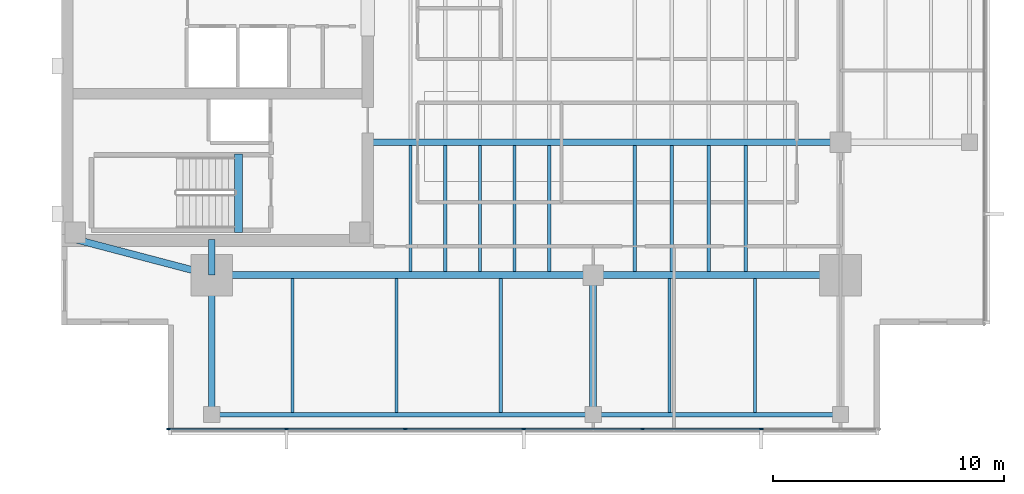
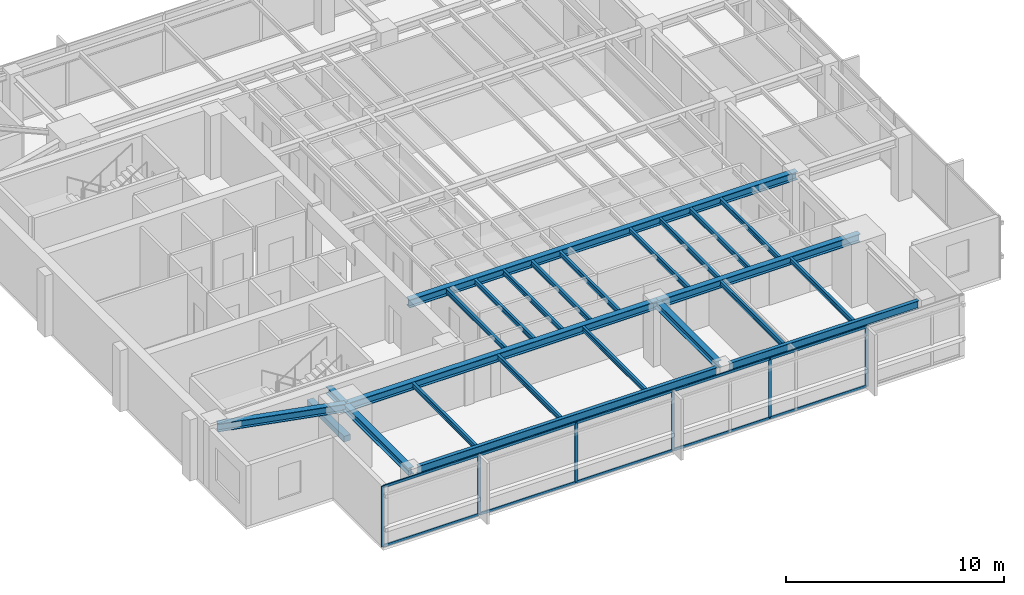
# One storey, part 2 of 14: 24 beams, 16 members, 1 element without a shape of its own.
"""IFC4 building model written with IfcOpenShell, lengths in metres."""

from ifc_helpers import new_model, si_unit, direction, frame, origin, origin_2d, place, context, subcontext, project, spatial, rectangle, i_section, extrude, material, layer, layer_set, material_profile, profile_set, type_object, element, aggregate, save


model = new_model("IFC4")

# Units and contexts
model_context = context("Model", 3, precision=1e-05, world=origin(), true_north=direction((0.0, 1.0)))
body_context = subcontext(model_context, "Body", "Model", "MODEL_VIEW")
ifc_project = project(units=[si_unit("LENGTHUNIT", "METRE"), si_unit("AREAUNIT", "SQUARE_METRE"), si_unit("VOLUMEUNIT", "CUBIC_METRE"), si_unit("PLANEANGLEUNIT", "RADIAN"), si_unit("MASSUNIT", "GRAM", prefix="KILO")], contexts=[model_context])

# Site, building, storey
site_placement = place(None, origin())
site = spatial("IfcSite", under=ifc_project, at=site_placement, CompositionType="ELEMENT")
building_placement = place(site_placement, origin())
building = spatial("IfcBuilding", under=site, at=building_placement, Name="Kinhvarn Gate Tower", CompositionType="ELEMENT")
storey_placement = place(building_placement, frame((0.0, 0.0, 270.550048828125)))
storey = spatial("IfcBuildingStorey", under=building, at=storey_placement, Name="L72", CompositionType="ELEMENT", Elevation=270.550048828125)

# Beam
ifc_material_1 = material(Name="Concrete C50/60", Category="concrete")
ifc_material_profile_1 = material_profile(ifc_material_1, rectangle(XDim=0.340087890625, YDim=0.320068359375, at=origin_2d()), Name="RC 340x320")
ifc_profile_set_1 = profile_set([ifc_material_profile_1], Name="Concrete C50/60")
beam_type_1 = type_object("IfcBeamType", Name="BM-LND-500", PredefinedType="BEAM", material=ifc_profile_set_1)
beam_1_placement = place(storey_placement, frame((12.1650390625, 14.60009765625, -0.16015625), z_axis=(0.0, 1.0, 0.0), x_axis=(-1.0, 0.0, 0.0)))
element("IfcBeam", 1, at=beam_1_placement, inside=storey, type_object=beam_type_1, Name="Stair ST1 Landing Nosing Beam (L72)", PredefinedType="BEAM", context=body_context, shape_type="SweptSolid", body=[
    extrude(rectangle(XDim=0.340087890625, YDim=0.320068359375, at=origin_2d()), origin(), (0.0, 0.0, 1.0), 3.39990234375),
])

# Curtain wall, members
ifc_material_2 = material(Name="Anodised aluminium AW-6063", Category="aluminium")
ifc_layer = layer(ifc_material_2, 0.179931640625)
ifc_layer_set = layer_set([ifc_layer], Name="Anodised aluminium AW-6063")
curtain_wall_type = type_object("IfcCurtainWallType", Name="CW-SYS-3", PredefinedType="NOTDEFINED", material=ifc_layer_set)
curtain_wall_placement = place(storey_placement, origin())
curtain_wall = element("IfcCurtainWall", 2, at=curtain_wall_placement, inside=storey, type_object=curtain_wall_type, Name="Curtain Wall CW3 (L72)", PredefinedType="NOTDEFINED")
ifc_material_profile_2 = material_profile(ifc_material_2, rectangle(XDim=0.06494140625, YDim=0.159912109375, at=origin_2d()), Name="ALU 65x160")
ifc_profile_set_2 = profile_set([ifc_material_profile_2], Name="Anodised aluminium AW-6063")
member_type_1 = type_object("IfcMemberType", Name="CW-MUL-160", PredefinedType="MULLION", material=ifc_profile_set_2)
member_1_placement = place(storey_placement, frame((9.132568359375, 6.090087890625, 0.0), z_axis=(0.0, 0.0, 1.0), x_axis=(0.0, 1.0, 0.0)))
member_1 = element("IfcMember", 3, at=member_1_placement, type_object=member_type_1, Name="CW3 mullion 1", PredefinedType="MULLION", context=body_context, shape_type="SweptSolid", body=[
    extrude(rectangle(XDim=0.06494140625, YDim=0.159912109375, at=origin_2d()), origin(), (0.0, 0.0, 1.0), 3.389892578125),
])
member_2_placement = place(storey_placement, frame((14.2333984375, 6.090087890625, 0.0), z_axis=(0.0, 0.0, 1.0), x_axis=(0.0, 1.0, 0.0)))
member_2 = element("IfcMember", 4, at=member_2_placement, type_object=member_type_1, Name="CW3 mullion 2", PredefinedType="MULLION", context=body_context, shape_type="SweptSolid", body=[
    extrude(rectangle(XDim=0.06494140625, YDim=0.159912109375, at=origin_2d()), origin(), (0.0, 0.0, 1.0), 3.389892578125),
])
member_3_placement = place(storey_placement, frame((19.36669921875, 6.090087890625, 0.0), z_axis=(0.0, 0.0, 1.0), x_axis=(0.0, 1.0, 0.0)))
member_3 = element("IfcMember", 5, at=member_3_placement, type_object=member_type_1, Name="CW3 mullion 3", PredefinedType="MULLION", context=body_context, shape_type="SweptSolid", body=[
    extrude(rectangle(XDim=0.06494140625, YDim=0.159912109375, at=origin_2d()), origin(), (0.0, 0.0, 1.0), 3.389892578125),
])
member_4_placement = place(storey_placement, frame((24.5, 6.090087890625, 0.0), z_axis=(0.0, 0.0, 1.0), x_axis=(0.0, 1.0, 0.0)))
member_4 = element("IfcMember", 6, at=member_4_placement, type_object=member_type_1, Name="CW3 mullion 4", PredefinedType="MULLION", context=body_context, shape_type="SweptSolid", body=[
    extrude(rectangle(XDim=0.06494140625, YDim=0.159912109375, at=origin_2d()), origin(), (0.0, 0.0, 1.0), 3.389892578125),
])
member_5_placement = place(storey_placement, frame((29.63330078125, 6.090087890625, 0.0), z_axis=(0.0, 0.0, 1.0), x_axis=(0.0, 1.0, 0.0)))
member_5 = element("IfcMember", 7, at=member_5_placement, type_object=member_type_1, Name="CW3 mullion 5", PredefinedType="MULLION", context=body_context, shape_type="SweptSolid", body=[
    extrude(rectangle(XDim=0.06494140625, YDim=0.159912109375, at=origin_2d()), origin(), (0.0, 0.0, 1.0), 3.389892578125),
])
member_6_placement = place(storey_placement, frame((34.7666015625, 6.090087890625, 0.0), z_axis=(0.0, 0.0, 1.0), x_axis=(0.0, 1.0, 0.0)))
member_6 = element("IfcMember", 8, at=member_6_placement, type_object=member_type_1, Name="CW3 mullion 6", PredefinedType="MULLION", context=body_context, shape_type="SweptSolid", body=[
    extrude(rectangle(XDim=0.06494140625, YDim=0.159912109375, at=origin_2d()), origin(), (0.0, 0.0, 1.0), 3.389892578125),
])
ifc_material_profile_3 = material_profile(ifc_material_2, rectangle(XDim=0.070068359375, YDim=0.139892578125, at=origin_2d()), Name="ALU 70x140")
ifc_profile_set_3 = profile_set([ifc_material_profile_3], Name="Anodised aluminium AW-6063")
member_type_2 = type_object("IfcMemberType", Name="CW-TRN-140", PredefinedType="USERDEFINED", material=ifc_profile_set_3)
member_7_placement = place(storey_placement, frame((9.1650390625, 6.090087890625, 0.034912109375), z_axis=(1.0, 0.0, 0.0), x_axis=(0.0, 1.0, 0.0)))
member_7 = element("IfcMember", 9, at=member_7_placement, type_object=member_type_2, Name="CW3 transom 1.1", ObjectType="TRANSOM", PredefinedType="USERDEFINED", context=body_context, shape_type="SweptSolid", body=[
    extrude(rectangle(XDim=0.070068359375, YDim=0.139892578125, at=origin_2d()), origin(), (0.0, 0.0, 1.0), 5.035888671875),
])
member_8_placement = place(storey_placement, frame((9.1650390625, 6.090087890625, 3.35498046875), z_axis=(1.0, 0.0, 0.0), x_axis=(0.0, 1.0, 0.0)))
member_8 = element("IfcMember", 10, at=member_8_placement, type_object=member_type_2, Name="CW3 transom 1.2", ObjectType="TRANSOM", PredefinedType="USERDEFINED", context=body_context, shape_type="SweptSolid", body=[
    extrude(rectangle(XDim=0.070068359375, YDim=0.139892578125, at=origin_2d()), origin(), (0.0, 0.0, 1.0), 5.035888671875),
])
member_9_placement = place(storey_placement, frame((14.265869140625, 6.090087890625, 0.034912109375), z_axis=(1.0, 0.0, 0.0), x_axis=(0.0, 1.0, 0.0)))
member_9 = element("IfcMember", 11, at=member_9_placement, type_object=member_type_2, Name="CW3 transom 2.1", ObjectType="TRANSOM", PredefinedType="USERDEFINED", context=body_context, shape_type="SweptSolid", body=[
    extrude(rectangle(XDim=0.070068359375, YDim=0.139892578125, at=origin_2d()), origin(), (0.0, 0.0, 1.0), 5.068359375),
])
member_10_placement = place(storey_placement, frame((14.265869140625, 6.090087890625, 3.35498046875), z_axis=(1.0, 0.0, 0.0), x_axis=(0.0, 1.0, 0.0)))
member_10 = element("IfcMember", 12, at=member_10_placement, type_object=member_type_2, Name="CW3 transom 2.2", ObjectType="TRANSOM", PredefinedType="USERDEFINED", context=body_context, shape_type="SweptSolid", body=[
    extrude(rectangle(XDim=0.070068359375, YDim=0.139892578125, at=origin_2d()), origin(), (0.0, 0.0, 1.0), 5.068359375),
])
member_11_placement = place(storey_placement, frame((19.399169921875, 6.090087890625, 0.034912109375), z_axis=(1.0, 0.0, 0.0), x_axis=(0.0, 1.0, 0.0)))
member_11 = element("IfcMember", 13, at=member_11_placement, type_object=member_type_2, Name="CW3 transom 3.1", ObjectType="TRANSOM", PredefinedType="USERDEFINED", context=body_context, shape_type="SweptSolid", body=[
    extrude(rectangle(XDim=0.070068359375, YDim=0.139892578125, at=origin_2d()), origin(), (0.0, 0.0, 1.0), 5.068359375),
])
member_12_placement = place(storey_placement, frame((19.399169921875, 6.090087890625, 3.35498046875), z_axis=(1.0, 0.0, 0.0), x_axis=(0.0, 1.0, 0.0)))
member_12 = element("IfcMember", 14, at=member_12_placement, type_object=member_type_2, Name="CW3 transom 3.2", ObjectType="TRANSOM", PredefinedType="USERDEFINED", context=body_context, shape_type="SweptSolid", body=[
    extrude(rectangle(XDim=0.070068359375, YDim=0.139892578125, at=origin_2d()), origin(), (0.0, 0.0, 1.0), 5.068359375),
])
member_13_placement = place(storey_placement, frame((24.532470703125, 6.090087890625, 0.034912109375), z_axis=(1.0, 0.0, 0.0), x_axis=(0.0, 1.0, 0.0)))
member_13 = element("IfcMember", 15, at=member_13_placement, type_object=member_type_2, Name="CW3 transom 4.1", ObjectType="TRANSOM", PredefinedType="USERDEFINED", context=body_context, shape_type="SweptSolid", body=[
    extrude(rectangle(XDim=0.070068359375, YDim=0.139892578125, at=origin_2d()), origin(), (0.0, 0.0, 1.0), 5.068359375),
])
member_14_placement = place(storey_placement, frame((24.532470703125, 6.090087890625, 3.35498046875), z_axis=(1.0, 0.0, 0.0), x_axis=(0.0, 1.0, 0.0)))
member_14 = element("IfcMember", 16, at=member_14_placement, type_object=member_type_2, Name="CW3 transom 4.2", ObjectType="TRANSOM", PredefinedType="USERDEFINED", context=body_context, shape_type="SweptSolid", body=[
    extrude(rectangle(XDim=0.070068359375, YDim=0.139892578125, at=origin_2d()), origin(), (0.0, 0.0, 1.0), 5.068359375),
])
member_15_placement = place(storey_placement, frame((29.665771484375, 6.090087890625, 0.034912109375), z_axis=(1.0, 0.0, 0.0), x_axis=(0.0, 1.0, 0.0)))
member_15 = element("IfcMember", 17, at=member_15_placement, type_object=member_type_2, Name="CW3 transom 5.1", ObjectType="TRANSOM", PredefinedType="USERDEFINED", context=body_context, shape_type="SweptSolid", body=[
    extrude(rectangle(XDim=0.070068359375, YDim=0.139892578125, at=origin_2d()), origin(), (0.0, 0.0, 1.0), 5.068359375),
])
member_16_placement = place(storey_placement, frame((29.665771484375, 6.090087890625, 3.35498046875), z_axis=(1.0, 0.0, 0.0), x_axis=(0.0, 1.0, 0.0)))
member_16 = element("IfcMember", 18, at=member_16_placement, type_object=member_type_2, Name="CW3 transom 5.2", ObjectType="TRANSOM", PredefinedType="USERDEFINED", context=body_context, shape_type="SweptSolid", body=[
    extrude(rectangle(XDim=0.070068359375, YDim=0.139892578125, at=origin_2d()), origin(), (0.0, 0.0, 1.0), 5.068359375),
])
aggregate(curtain_wall, [member_1, member_2, member_3, member_4, member_5, member_6, member_7, member_8, member_9, member_10, member_11, member_12, member_13, member_14, member_15, member_16])

# Beams
ifc_material_3 = material(Name="Steel S355", Category="steel")
ifc_material_profile_4 = material_profile(ifc_material_3, i_section(OverallWidth=0.300048828125, OverallDepth=0.39990234375, WebThickness=0.013427734375, FlangeThickness=0.02392578125, at=origin_2d()), Name="HEB 400")
ifc_profile_set_4 = profile_set([ifc_material_profile_4], Name="Steel S355")
beam_type_2 = type_object("IfcBeamType", Name="STL-HEB400", PredefinedType="BEAM", material=ifc_profile_set_4)
beam_2_placement = place(storey_placement, frame((11.0, 6.719970703125, 3.18994140625), z_axis=(0.0, 1.0, 0.0), x_axis=(-1.0, 0.0, 0.0)))
element("IfcBeam", 19, at=beam_2_placement, inside=storey, type_object=beam_type_2, Name="Floor Beam PG-12 (L72 MCW-S)", PredefinedType="BEAM", context=body_context, shape_type="SweptSolid", body=[
    extrude(i_section(OverallWidth=0.300048828125, OverallDepth=0.39990234375, WebThickness=0.013427734375, FlangeThickness=0.02392578125, at=origin_2d()), origin(), (0.0, 0.0, 1.0), 6.030029296875),
])
beam_3_placement = place(storey_placement, frame((11.0, 12.75, 3.18994140625), z_axis=(0.0, 1.0, 0.0), x_axis=(-1.0, 0.0, 0.0)))
element("IfcBeam", 20, at=beam_3_placement, inside=storey, type_object=beam_type_2, Name="Floor Beam PG-12 (L72 MCW-CS)", PredefinedType="BEAM", context=body_context, shape_type="SweptSolid", body=[
    extrude(i_section(OverallWidth=0.300048828125, OverallDepth=0.39990234375, WebThickness=0.013427734375, FlangeThickness=0.02392578125, at=origin_2d()), origin(), (0.0, 0.0, 1.0), 1.550048828125),
])
beam_4_placement = place(storey_placement, frame((27.5, 7.054931640625, 3.18994140625), z_axis=(0.0, 1.0, 0.0), x_axis=(-1.0, 0.0, 0.0)))
element("IfcBeam", 21, at=beam_4_placement, inside=storey, type_object=beam_type_2, Name="Floor Beam PG-12 (L72 SP27-S-TIE)", PredefinedType="BEAM", context=body_context, shape_type="SweptSolid", body=[
    extrude(i_section(OverallWidth=0.300048828125, OverallDepth=0.39990234375, WebThickness=0.013427734375, FlangeThickness=0.02392578125, at=origin_2d()), origin(), (0.0, 0.0, 1.0), 5.695068359375),
])
ifc_material_profile_5 = material_profile(ifc_material_3, i_section(OverallWidth=0.300048828125, OverallDepth=0.449951171875, WebThickness=0.013916015625, FlangeThickness=0.02587890625, at=origin_2d()), Name="HEB 450")
ifc_profile_set_5 = profile_set([ifc_material_profile_5], Name="Steel S355")
beam_type_3 = type_object("IfcBeamType", Name="STL-HEB450", PredefinedType="BEAM", material=ifc_profile_set_5)
beam_5_placement = place(storey_placement, frame((11.0, 12.75, 3.1650390625), z_axis=(1.0, 0.0, 0.0), x_axis=(0.0, 1.0, 0.0)))
element("IfcBeam", 22, at=beam_5_placement, inside=storey, type_object=beam_type_3, Name="Floor Beam PG-13 (L72 MG-S1)", PredefinedType="BEAM", context=body_context, shape_type="SweptSolid", body=[
    extrude(i_section(OverallWidth=0.300048828125, OverallDepth=0.449951171875, WebThickness=0.013916015625, FlangeThickness=0.02587890625, at=origin_2d()), origin(), (0.0, 0.0, 1.0), 16.5),
])
beam_6_placement = place(storey_placement, frame((27.5, 12.75, 3.1650390625), z_axis=(1.0, 0.0, 0.0), x_axis=(0.0, 1.0, 0.0)))
element("IfcBeam", 23, at=beam_6_placement, inside=storey, type_object=beam_type_3, Name="Floor Beam PG-13 (L72 MG-S2)", PredefinedType="BEAM", context=body_context, shape_type="SweptSolid", body=[
    extrude(i_section(OverallWidth=0.300048828125, OverallDepth=0.449951171875, WebThickness=0.013916015625, FlangeThickness=0.02587890625, at=origin_2d()), origin(), (0.0, 0.0, 1.0), 10.699951171875),
])
beam_7_placement = place(storey_placement, frame((5.10009765625, 14.300048828125, 3.1650390625), z_axis=(0.967177623957, -0.254101246979, 0.0), x_axis=(0.254101246979, 0.967177623957, 0.0)))
element("IfcBeam", 24, at=beam_7_placement, inside=storey, type_object=beam_type_3, Name="Floor Beam PG-13 (L72 MG-SW-DIAG)", PredefinedType="BEAM", context=body_context, shape_type="SweptSolid", body=[
    extrude(i_section(OverallWidth=0.300048828125, OverallDepth=0.449951171875, WebThickness=0.013916015625, FlangeThickness=0.02587890625, at=origin_2d()), origin(), (0.0, 0.0, 1.0), 6.10009765625),
])
beam_8_placement = place(storey_placement, frame((17.64990234375, 18.5, 3.1650390625), z_axis=(1.0, 0.0, 0.0), x_axis=(0.0, 1.0, 0.0)))
element("IfcBeam", 25, at=beam_8_placement, inside=storey, type_object=beam_type_3, Name="Floor Beam PG-13 (L72 EW1-Y18)", PredefinedType="BEAM", context=body_context, shape_type="SweptSolid", body=[
    extrude(i_section(OverallWidth=0.300048828125, OverallDepth=0.449951171875, WebThickness=0.013916015625, FlangeThickness=0.02587890625, at=origin_2d()), origin(), (0.0, 0.0, 1.0), 20.550048828125),
])
ifc_material_profile_6 = material_profile(ifc_material_3, i_section(OverallWidth=0.135009765625, OverallDepth=0.27001953125, WebThickness=0.006591796875, FlangeThickness=0.01025390625, at=origin_2d()), Name="IPE 270")
ifc_profile_set_6 = profile_set([ifc_material_profile_6], Name="Steel S355")
beam_type_4 = type_object("IfcBeamType", Name="STL-IPE270", PredefinedType="JOIST", material=ifc_profile_set_6)
for number, where, z_axis, x_axis, name in (
    (26, (19.60009765625, 12.89990234375, 3.2548828125), (0.0, 1.0, 0.0), (-1.0, 0.0, 0.0), "Floor Joist SB-01 (L72 JC-X196-0)"),
    (27, (21.10009765625, 12.89990234375, 3.2548828125), (0.0, 1.0, 0.0), (-1.0, 0.0, 0.0), "Floor Joist SB-01 (L72 JC-X211-0)"),
    (28, (22.60009765625, 12.89990234375, 3.2548828125), (0.0, 1.0, 0.0), (-1.0, 0.0, 0.0), "Floor Joist SB-01 (L72 JC-X226-0)"),
    (29, (24.10009765625, 12.89990234375, 3.2548828125), (0.0, 1.0, 0.0), (-1.0, 0.0, 0.0), "Floor Joist SB-01 (L72 JC-X241-0)"),
    (30, (25.60009765625, 12.89990234375, 3.2548828125), (0.0, 1.0, 0.0), (-1.0, 0.0, 0.0), "Floor Joist SB-01 (L72 JC-X256-0)"),
    (31, (29.300048828125, 12.89990234375, 3.2548828125), (0.0, 1.0, 0.0), (-1.0, 0.0, 0.0), "Floor Joist SB-01 (L72 JC-X293-0)"),
    (32, (30.89990234375, 12.89990234375, 3.2548828125), (0.0, 1.0, 0.0), (-1.0, 0.0, 0.0), "Floor Joist SB-01 (L72 JC-X309-0)"),
    (33, (32.5, 12.89990234375, 3.2548828125), (0.0, 1.0, 0.0), (-1.0, 0.0, 0.0), "Floor Joist SB-01 (L72 JC-X325-0)"),
    (34, (34.10009765625, 12.89990234375, 3.2548828125), (0.0, 1.0, 0.0), (-1.0, 0.0, 0.0), "Floor Joist SB-01 (L72 JC-X341-0)"),
):
    element("IfcBeam", number, at=place(storey_placement, frame(where, z_axis=z_axis, x_axis=x_axis)), inside=storey, type_object=beam_type_4, Name=name, PredefinedType="JOIST", context=body_context, shape_type="SweptSolid", body=[
        extrude(i_section(OverallWidth=0.135009765625, OverallDepth=0.27001953125, WebThickness=0.006591796875, FlangeThickness=0.01025390625, at=origin_2d()), origin(), (0.0, 0.0, 1.0), 5.4501953125),
    ])
for number, where, z_axis, x_axis, name in (
    (35, (14.5, 6.81494140625, 3.2548828125), (0.0, 1.0, 0.0), (-1.0, 0.0, 0.0), "Floor Joist SB-01 (L72 JS-X145)"),
    (36, (19.0, 6.81494140625, 3.2548828125), (0.0, 1.0, 0.0), (-1.0, 0.0, 0.0), "Floor Joist SB-01 (L72 JS-X190)"),
    (37, (23.5, 6.81494140625, 3.2548828125), (0.0, 1.0, 0.0), (-1.0, 0.0, 0.0), "Floor Joist SB-01 (L72 JS-X235)"),
    (38, (30.800048828125, 6.81494140625, 3.2548828125), (0.0, 1.0, 0.0), (-1.0, 0.0, 0.0), "Floor Joist SB-01 (L72 JS-X308)"),
    (39, (34.5, 6.81494140625, 3.2548828125), (0.0, 1.0, 0.0), (-1.0, 0.0, 0.0), "Floor Joist SB-01 (L72 JS-X345)"),
):
    element("IfcBeam", number, at=place(storey_placement, frame(where, z_axis=z_axis, x_axis=x_axis)), inside=storey, type_object=beam_type_4, Name=name, PredefinedType="JOIST", context=body_context, shape_type="SweptSolid", body=[
        extrude(i_section(OverallWidth=0.135009765625, OverallDepth=0.27001953125, WebThickness=0.006591796875, FlangeThickness=0.01025390625, at=origin_2d()), origin(), (0.0, 0.0, 1.0), 5.78515625),
    ])
ifc_material_profile_7 = material_profile(ifc_material_3, i_section(OverallWidth=0.18994140625, OverallDepth=0.449951171875, WebThickness=0.009521484375, FlangeThickness=0.0146484375, at=origin_2d()), Name="IPE 450")
ifc_profile_set_7 = profile_set([ifc_material_profile_7], Name="Steel S355")
beam_type_5 = type_object("IfcBeamType", Name="STL-IPE450", PredefinedType="JOIST", material=ifc_profile_set_7)
beam_9_placement = place(storey_placement, frame((11.3349609375, 6.719970703125, 3.1650390625), z_axis=(1.0, 0.0, 0.0), x_axis=(0.0, 1.0, 0.0)))
element("IfcBeam", 40, at=beam_9_placement, inside=storey, type_object=beam_type_5, Name="Floor Joist SB-06 (L72 SP-S1)", PredefinedType="JOIST", context=body_context, shape_type="SweptSolid", body=[
    extrude(i_section(OverallWidth=0.18994140625, OverallDepth=0.449951171875, WebThickness=0.009521484375, FlangeThickness=0.0146484375, at=origin_2d()), origin(), (0.0, 0.0, 1.0), 15.830078125),
])
beam_10_placement = place(storey_placement, frame((27.8349609375, 6.719970703125, 3.1650390625), z_axis=(1.0, 0.0, 0.0), x_axis=(0.0, 1.0, 0.0)))
element("IfcBeam", 41, at=beam_10_placement, inside=storey, type_object=beam_type_5, Name="Floor Joist SB-06 (L72 SP-S2)", PredefinedType="JOIST", context=body_context, shape_type="SweptSolid", body=[
    extrude(i_section(OverallWidth=0.18994140625, OverallDepth=0.449951171875, WebThickness=0.009521484375, FlangeThickness=0.0146484375, at=origin_2d()), origin(), (0.0, 0.0, 1.0), 10.030029296875),
])

save(model, "model.ifc")
